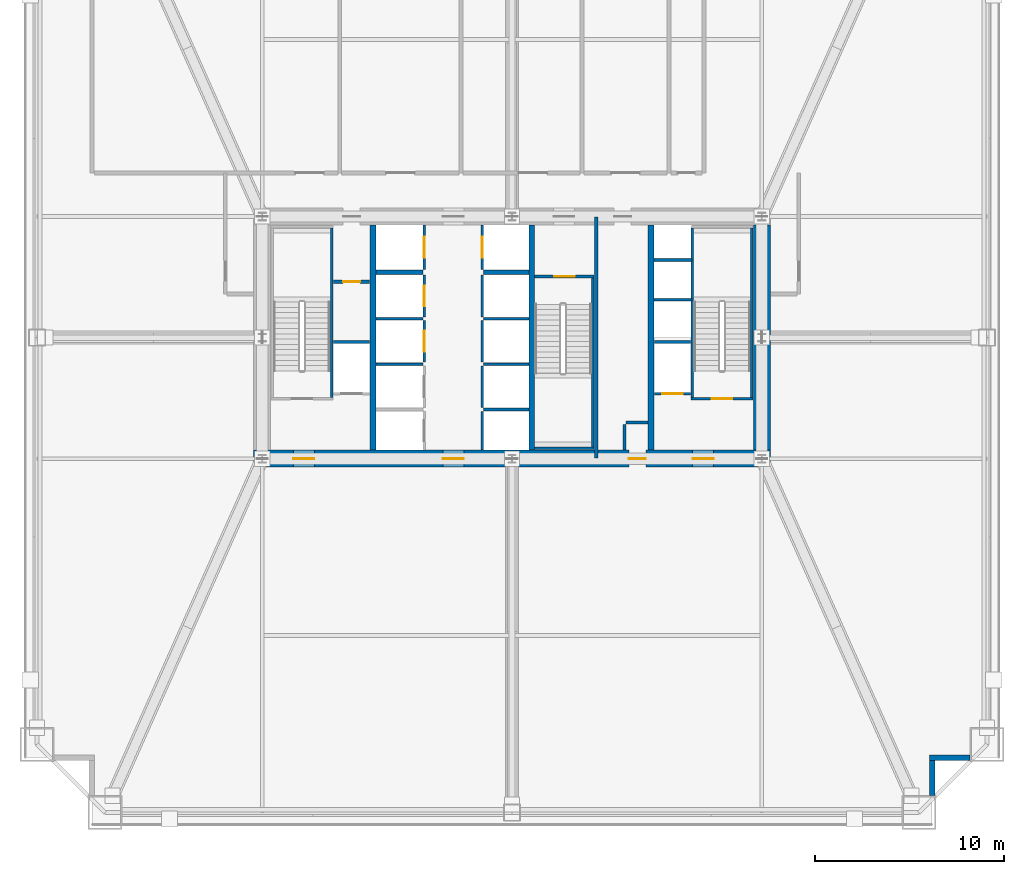
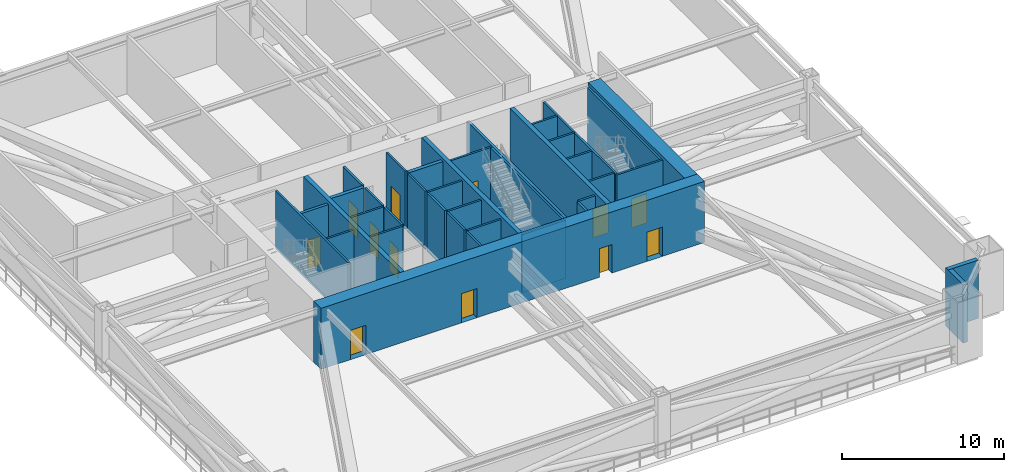
# One storey, part 5 of 11: 38 walls, 12 doors, 12 openings.
"""IFC4 building model written with IfcOpenShell, lengths in metres."""

from ifc_helpers import new_model, si_unit, direction, frame, frame_2d, origin, place, context, subcontext, project, spatial, rectangle, extrude, source, transform, mapped, material, layer, layer_set, type_object, element, fill, save


model = new_model("IFC4")

# Units and contexts
model_context = context("Model", 3, precision=1e-05, world=origin(), true_north=direction((0.0, 1.0)))
body_context = subcontext(model_context, "Body", "Model", "MODEL_VIEW")
ifc_project = project(units=[si_unit("LENGTHUNIT", "METRE"), si_unit("AREAUNIT", "SQUARE_METRE"), si_unit("VOLUMEUNIT", "CUBIC_METRE"), si_unit("PLANEANGLEUNIT", "RADIAN"), si_unit("MASSUNIT", "GRAM", prefix="KILO"), si_unit("THERMODYNAMICTEMPERATUREUNIT", "KELVIN"), si_unit("POWERUNIT", "WATT")], contexts=[model_context])

# Site, building, storey
site_placement = place(None, origin())
site = spatial("IfcSite", under=ifc_project, at=site_placement, CompositionType="ELEMENT")
building_placement = place(site_placement, origin())
building = spatial("IfcBuilding", under=site, at=building_placement, Name="Yuzanri Waterfront Tower", CompositionType="ELEMENT")
storey_placement = place(building_placement, frame((0.0, 0.0, 41.39990234375)))
storey = spatial("IfcBuildingStorey", under=building, at=storey_placement, Name="L10", CompositionType="ELEMENT", Elevation=41.39990234375)

# Wall, openings, doors
ifc_material_1 = material(Name="Concrete C60", Category="concrete")
ifc_layer_1 = layer(ifc_material_1, 0.89990234375)
ifc_layer_set_1 = layer_set([ifc_layer_1], Name="Concrete C60")
wall_type_1 = type_object("IfcWallType", Name="Concrete C60 Lower Zone Core Shear Wall 900", PredefinedType="SHEAR", material=ifc_layer_set_1)
wall_1_placement = place(storey_placement, frame((23.35009765625, 19.39990234375, 0.0), z_axis=(0.0, 0.0, 1.0), x_axis=(1.0, 0.0, 0.0)))
wall_1 = element("IfcWall", 1, at=wall_1_placement, inside=storey, type_object=wall_type_1, Name="L10 Core South Shear Wall", PredefinedType="SHEAR", context=body_context, shape_type="SweptSolid", body=[
    extrude(rectangle(XDim=27.2998046875, YDim=0.89990234375, at=frame_2d((13.64990234375, 0.0))), origin(), (0.0, 0.0, 1.0), 4.60009765625),
])
opening_1_placement = place(wall_1_placement, frame((2.10009765625, 0.0, 0.0)))
opening_1 = element("IfcOpeningElement", 2, at=opening_1_placement, cuts=wall_1, Name="Opening FD-1100", PredefinedType="OPENING", context=body_context, shape_type="SweptSolid", body=[
    extrude(rectangle(XDim=1.10009765625, YDim=2.199951171875, at=frame_2d((0.550048828125, 1.10009765625))), frame((0.0, 0.46484375, 0.0), z_axis=(0.0, -1.0, 0.0), x_axis=(1.0, 0.0, 0.0)), (0.0, 0.0, 1.0), 0.9296875),
])
opening_2_placement = place(wall_1_placement, frame((10.0, 0.0, 0.0)))
opening_2 = element("IfcOpeningElement", 3, at=opening_2_placement, cuts=wall_1, Name="Opening FD-1100", PredefinedType="OPENING", context=body_context, shape_type="SweptSolid", body=[
    extrude(rectangle(XDim=1.10009765625, YDim=2.199951171875, at=frame_2d((0.550048828125, 1.10009765625))), frame((0.0, 0.46484375, 0.0), z_axis=(0.0, -1.0, 0.0), x_axis=(1.0, 0.0, 0.0)), (0.0, 0.0, 1.0), 0.9296875),
])
opening_3_placement = place(wall_1_placement, frame((23.199951171875, 0.0, 0.0)))
opening_3 = element("IfcOpeningElement", 4, at=opening_3_placement, cuts=wall_1, Name="Opening FD-1100", PredefinedType="OPENING", context=body_context, shape_type="SweptSolid", body=[
    extrude(rectangle(XDim=1.10009765625, YDim=2.199951171875, at=frame_2d((0.550048828125, 1.10009765625))), frame((0.0, 0.46484375, 0.0), z_axis=(0.0, -1.0, 0.0), x_axis=(1.0, 0.0, 0.0)), (0.0, 0.0, 1.0), 0.9296875),
])
opening_4_placement = place(wall_1_placement, frame((19.820068359375, 0.0, 0.0)))
opening_4 = element("IfcOpeningElement", 5, at=opening_4_placement, cuts=wall_1, Name="Opening FD-0900", PredefinedType="OPENING", context=body_context, shape_type="SweptSolid", body=[
    extrude(rectangle(XDim=0.89990234375, YDim=2.14990234375, at=frame_2d((0.449951171875, 1.074951171875))), frame((0.0, 0.46484375, 0.0), z_axis=(0.0, -1.0, 0.0), x_axis=(1.0, 0.0, 0.0)), (0.0, 0.0, 1.0), 0.9296875),
])
ifc_material_2 = material(Name="Painted Galvanized Fire Steel", Category="steel")
door_type_1 = type_object("IfcDoorType", Name="Smoke-Proof Stair and Lobby Fire Door 1100x2200", OperationType="NOTDEFINED", PredefinedType="DOOR", material=ifc_material_2)
shared_shape_1 = source(origin(), body_context, "Body", "SweptSolid", [
    extrude(rectangle(XDim=1.10009765625, YDim=2.199951171875, at=frame_2d((0.550048828125, 1.10009765625))), frame((0.0, 0.02490234375, 0.0), z_axis=(0.0, -1.0, 0.0), x_axis=(1.0, 0.0, 0.0)), (0.0, 0.0, 1.0), 0.050048828125),
])
door_1_placement = place(opening_1_placement, origin())
door_1 = element("IfcDoor", 6, at=door_1_placement, inside=storey, type_object=door_type_1, Name="L10 West Firefighting Lobby Door", OperationType="SINGLE_SWING_LEFT", OverallHeight=2.199951171875, OverallWidth=1.10009765625, PredefinedType="DOOR", context=body_context, shape_type="MappedRepresentation", body=[
    mapped(shared_shape_1, transform((0.0, 0.0, 0.0), scale=1.0)),
])
fill(opening_1, door_1)
door_2_placement = place(opening_2_placement, origin())
door_2 = element("IfcDoor", 7, at=door_2_placement, inside=storey, type_object=door_type_1, Name="L10 Central Lift Lobby South Door", OperationType="SINGLE_SWING_RIGHT", OverallHeight=2.199951171875, OverallWidth=1.10009765625, PredefinedType="DOOR", context=body_context, shape_type="MappedRepresentation", body=[
    mapped(shared_shape_1, transform((0.0, 0.0, 0.0), scale=1.0)),
])
fill(opening_2, door_2)
door_3_placement = place(opening_3_placement, origin())
door_3 = element("IfcDoor", 8, at=door_3_placement, inside=storey, type_object=door_type_1, Name="L10 East Firefighting Lobby Door", OperationType="SINGLE_SWING_LEFT", OverallHeight=2.199951171875, OverallWidth=1.10009765625, PredefinedType="DOOR", context=body_context, shape_type="MappedRepresentation", body=[
    mapped(shared_shape_1, transform((0.0, 0.0, 0.0), scale=1.0)),
])
fill(opening_3, door_3)
ifc_material_3 = material(Name="Painted Galvanized Fire Steel", Category="steel")
door_type_2 = type_object("IfcDoorType", Name="Riser and Service Room Fire Door 900x2150", OperationType="NOTDEFINED", PredefinedType="DOOR", material=ifc_material_3)
shared_shape_2 = source(origin(), body_context, "Body", "SweptSolid", [
    extrude(rectangle(XDim=0.89990234375, YDim=2.14990234375, at=frame_2d((0.449951171875, 1.074951171875))), frame((0.0, 0.02490234375, 0.0), z_axis=(0.0, -1.0, 0.0), x_axis=(1.0, 0.0, 0.0)), (0.0, 0.0, 1.0), 0.050048828125),
])
door_4_placement = place(opening_4_placement, origin())
door_4 = element("IfcDoor", 9, at=door_4_placement, inside=storey, type_object=door_type_2, Name="L10 East Wet Riser Door", OperationType="SINGLE_SWING_RIGHT", OverallHeight=2.14990234375, OverallWidth=0.89990234375, PredefinedType="DOOR", context=body_context, shape_type="MappedRepresentation", body=[
    mapped(shared_shape_2, transform((0.0, 0.0, 0.0), scale=1.0)),
])
fill(opening_4, door_4)

# Wall, opening, door
ifc_material_4 = material(Name="Concrete C40", Category="concrete")
ifc_layer_2 = layer(ifc_material_4, 0.139892578125)
ifc_layer_set_2 = layer_set([ifc_layer_2], Name="Concrete C40")
wall_type_2 = type_object("IfcWallType", Name="Core Stair Liner and Hoistway Shaft Wall 140", PredefinedType="SOLIDWALL", material=ifc_layer_set_2)
wall_2_placement = place(storey_placement, frame((44.52001953125, 22.830078125, 0.0), z_axis=(0.0, 0.0, 1.0), x_axis=(1.0, 0.0, 0.0)))
wall_2 = element("IfcWall", 10, at=wall_2_placement, inside=storey, type_object=wall_type_2, Name="L10 Lift FL-02 Front Shaft Wall", PredefinedType="SOLIDWALL", context=body_context, shape_type="SweptSolid", body=[
    extrude(rectangle(XDim=1.919921875, YDim=0.139892578125, at=frame_2d((0.9599609375, 0.0))), origin(), (0.0, 0.0, 1.0), 4.380126953125),
])
opening_5_placement = place(wall_2_placement, frame((0.409912109375, 0.0, 0.0)))
opening_5 = element("IfcOpeningElement", 11, at=opening_5_placement, cuts=wall_2, Name="Opening LD-FL-02", PredefinedType="OPENING", context=body_context, shape_type="SweptSolid", body=[
    extrude(rectangle(XDim=1.10009765625, YDim=2.199951171875, at=frame_2d((0.550048828125, 1.10009765625))), frame((0.0, 0.0849609375, 0.0), z_axis=(0.0, -1.0, 0.0), x_axis=(1.0, 0.0, 0.0)), (0.0, 0.0, 1.0), 0.169677734375),
])
ifc_material_5 = material(Name="Brushed Bronze and Stainless Steel Cab", Category="steel")
door_type_3 = type_object("IfcDoorType", Name="Center-Parting Bronze Lift Landing Sliding Door 1100x2200", OperationType="NOTDEFINED", PredefinedType="DOOR", material=ifc_material_5)
shared_shape_3 = source(origin(), body_context, "Body", "SweptSolid", [
    extrude(rectangle(XDim=1.10009765625, YDim=2.199951171875, at=frame_2d((0.550048828125, 1.10009765625))), frame((0.0, 0.02490234375, 0.0), z_axis=(0.0, -1.0, 0.0), x_axis=(1.0, 0.0, 0.0)), (0.0, 0.0, 1.0), 0.050048828125),
])
door_5_placement = place(opening_5_placement, origin())
door_5 = element("IfcDoor", 12, at=door_5_placement, inside=storey, type_object=door_type_3, Name="L10 FL-02 Lift Landing Sliding Door", OperationType="SLIDING_TO_RIGHT", OverallHeight=2.199951171875, OverallWidth=1.10009765625, PredefinedType="DOOR", context=body_context, shape_type="MappedRepresentation", body=[
    mapped(shared_shape_3, transform((0.0, 0.0, 0.0), scale=1.0)),
])
fill(opening_5, door_5)

wall_3_placement = place(storey_placement, frame((32.3701171875, 24.5, 0.0), z_axis=(0.0, 0.0, 1.0), x_axis=(0.0, 1.0, 0.0)))
wall_3 = element("IfcWall", 13, at=wall_3_placement, inside=storey, type_object=wall_type_2, Name="L10 Lift PL-03 Front Shaft Wall", PredefinedType="SOLIDWALL", context=body_context, shape_type="SweptSolid", body=[
    extrude(rectangle(XDim=2.199951171875, YDim=0.139892578125, at=frame_2d((1.10009765625, 0.0))), origin(), (0.0, 0.0, 1.0), 4.380126953125),
])
opening_6_placement = place(wall_3_placement, frame((0.550048828125, 0.0, 0.0)))
opening_6 = element("IfcOpeningElement", 14, at=opening_6_placement, cuts=wall_3, Name="Opening LD-PL-03", PredefinedType="OPENING", context=body_context, shape_type="SweptSolid", body=[
    extrude(rectangle(XDim=1.10009765625, YDim=2.199951171875, at=frame_2d((0.550048828125, 1.10009765625))), frame((0.0, 0.0849609375, 0.0), z_axis=(0.0, -1.0, 0.0), x_axis=(1.0, 0.0, 0.0)), (0.0, 0.0, 1.0), 0.169677734375),
])
door_6_placement = place(opening_6_placement, origin())
door_6 = element("IfcDoor", 15, at=door_6_placement, inside=storey, type_object=door_type_3, Name="L10 PL-03 Lift Landing Sliding Door", OperationType="SLIDING_TO_LEFT", OverallHeight=2.199951171875, OverallWidth=1.10009765625, PredefinedType="DOOR", context=body_context, shape_type="MappedRepresentation", body=[
    mapped(shared_shape_3, transform((0.0, 0.0, 0.0), scale=1.0)),
])
fill(opening_6, door_6)

wall_4_placement = place(storey_placement, frame((32.3701171875, 26.89990234375, 0.0), z_axis=(0.0, 0.0, 1.0), x_axis=(0.0, 1.0, 0.0)))
wall_4 = element("IfcWall", 16, at=wall_4_placement, inside=storey, type_object=wall_type_2, Name="L10 Lift PL-04 Front Shaft Wall", PredefinedType="SOLIDWALL", context=body_context, shape_type="SweptSolid", body=[
    extrude(rectangle(XDim=2.2001953125, YDim=0.139892578125, at=frame_2d((1.10009765625, 0.0))), origin(), (0.0, 0.0, 1.0), 4.380126953125),
])
opening_7_placement = place(wall_4_placement, frame((0.550048828125, 0.0, 0.0)))
opening_7 = element("IfcOpeningElement", 17, at=opening_7_placement, cuts=wall_4, Name="Opening LD-PL-04", PredefinedType="OPENING", context=body_context, shape_type="SweptSolid", body=[
    extrude(rectangle(XDim=1.10009765625, YDim=2.199951171875, at=frame_2d((0.550048828125, 1.10009765625))), frame((0.0, 0.0849609375, 0.0), z_axis=(0.0, -1.0, 0.0), x_axis=(1.0, 0.0, 0.0)), (0.0, 0.0, 1.0), 0.169677734375),
])
door_7_placement = place(opening_7_placement, origin())
door_7 = element("IfcDoor", 18, at=door_7_placement, inside=storey, type_object=door_type_3, Name="L10 PL-04 Lift Landing Sliding Door", OperationType="SLIDING_TO_RIGHT", OverallHeight=2.199951171875, OverallWidth=1.10009765625, PredefinedType="DOOR", context=body_context, shape_type="MappedRepresentation", body=[
    mapped(shared_shape_3, transform((0.0, 0.0, 0.0), scale=1.0)),
])
fill(opening_7, door_7)

wall_5_placement = place(storey_placement, frame((32.3701171875, 29.39990234375, 0.0), z_axis=(0.0, 0.0, 1.0), x_axis=(0.0, 1.0, 0.0)))
wall_5 = element("IfcWall", 19, at=wall_5_placement, inside=storey, type_object=wall_type_2, Name="L10 Lift SL-01 Front Shaft Wall", PredefinedType="SOLIDWALL", context=body_context, shape_type="SweptSolid", body=[
    extrude(rectangle(XDim=2.340087890625, YDim=0.139892578125, at=frame_2d((1.169921875, 0.0))), origin(), (0.0, 0.0, 1.0), 4.380126953125),
])
opening_8_placement = place(wall_5_placement, frame((0.6201171875, 0.0, 0.0)))
opening_8 = element("IfcOpeningElement", 20, at=opening_8_placement, cuts=wall_5, Name="Opening LD-SL-01", PredefinedType="OPENING", context=body_context, shape_type="SweptSolid", body=[
    extrude(rectangle(XDim=1.10009765625, YDim=2.199951171875, at=frame_2d((0.550048828125, 1.10009765625))), frame((0.0, 0.0849609375, 0.0), z_axis=(0.0, -1.0, 0.0), x_axis=(1.0, 0.0, 0.0)), (0.0, 0.0, 1.0), 0.169677734375),
])
door_8_placement = place(opening_8_placement, origin())
door_8 = element("IfcDoor", 21, at=door_8_placement, inside=storey, type_object=door_type_3, Name="L10 SL-01 Lift Landing Sliding Door", OperationType="SLIDING_TO_LEFT", OverallHeight=2.199951171875, OverallWidth=1.10009765625, PredefinedType="DOOR", context=body_context, shape_type="MappedRepresentation", body=[
    mapped(shared_shape_3, transform((0.0, 0.0, 0.0), scale=1.0)),
])
fill(opening_8, door_8)

wall_6_placement = place(storey_placement, frame((35.429931640625, 29.39990234375, 0.0), z_axis=(0.0, 0.0, 1.0), x_axis=(0.0, 1.0, 0.0)))
wall_6 = element("IfcWall", 22, at=wall_6_placement, inside=storey, type_object=wall_type_2, Name="L10 Lift SL-02 Front Shaft Wall", PredefinedType="SOLIDWALL", context=body_context, shape_type="SweptSolid", body=[
    extrude(rectangle(XDim=2.340087890625, YDim=0.139892578125, at=frame_2d((1.169921875, 0.0))), origin(), (0.0, 0.0, 1.0), 4.380126953125),
])
opening_9_placement = place(wall_6_placement, frame((0.6201171875, 0.0, 0.0)))
opening_9 = element("IfcOpeningElement", 23, at=opening_9_placement, cuts=wall_6, Name="Opening LD-SL-02", PredefinedType="OPENING", context=body_context, shape_type="SweptSolid", body=[
    extrude(rectangle(XDim=1.10009765625, YDim=2.199951171875, at=frame_2d((0.550048828125, 1.10009765625))), frame((0.0, 0.0849609375, 0.0), z_axis=(0.0, -1.0, 0.0), x_axis=(1.0, 0.0, 0.0)), (0.0, 0.0, 1.0), 0.169677734375),
])
door_9_placement = place(opening_9_placement, origin())
door_9 = element("IfcDoor", 24, at=door_9_placement, inside=storey, type_object=door_type_3, Name="L10 SL-02 Lift Landing Sliding Door", OperationType="SLIDING_TO_RIGHT", OverallHeight=2.199951171875, OverallWidth=1.10009765625, PredefinedType="DOOR", context=body_context, shape_type="MappedRepresentation", body=[
    mapped(shared_shape_3, transform((0.0, 0.0, 0.0), scale=1.0)),
])
fill(opening_9, door_9)

wall_7_placement = place(storey_placement, frame((46.4599609375, 22.570068359375, 0.0), z_axis=(0.0, 0.0, 1.0), x_axis=(1.0, 0.0, 0.0)))
wall_7 = element("IfcWall", 25, at=wall_7_placement, inside=storey, type_object=wall_type_2, Name="L10 Shaft Wall STW-L10-ST-02-S", PredefinedType="SOLIDWALL", context=body_context, shape_type="SweptSolid", body=[
    extrude(rectangle(XDim=3.280029296875, YDim=0.139892578125, at=frame_2d((1.64013671875, 0.0))), origin(), (0.0, 0.0, 1.0), 4.380126953125),
])
opening_10_placement = place(wall_7_placement, frame((1.090087890625, 0.0, 0.0)))
opening_10 = element("IfcOpeningElement", 26, at=opening_10_placement, cuts=wall_7, Name="Opening FD-1100", PredefinedType="OPENING", context=body_context, shape_type="SweptSolid", body=[
    extrude(rectangle(XDim=1.10009765625, YDim=2.199951171875, at=frame_2d((0.550048828125, 1.10009765625))), frame((0.0, 0.0849609375, 0.0), z_axis=(0.0, -1.0, 0.0), x_axis=(1.0, 0.0, 0.0)), (0.0, 0.0, 1.0), 0.169677734375),
])
door_10_placement = place(opening_10_placement, origin())
door_10 = element("IfcDoor", 27, at=door_10_placement, inside=storey, type_object=door_type_1, Name="L10 Stair ST-02 Fire Door", OperationType="SINGLE_SWING_LEFT", OverallHeight=2.199951171875, OverallWidth=1.10009765625, PredefinedType="DOOR", context=body_context, shape_type="MappedRepresentation", body=[
    mapped(shared_shape_1, transform((0.0, 0.0, 0.0), scale=1.0)),
])
fill(opening_10, door_10)

wall_8_placement = place(storey_placement, frame((38.199951171875, 29.030029296875, 0.0), z_axis=(0.0, 0.0, 1.0), x_axis=(1.0, 0.0, 0.0)))
wall_8 = element("IfcWall", 28, at=wall_8_placement, inside=storey, type_object=wall_type_2, Name="L10 Shaft Wall STW-L10-ST-03-N", PredefinedType="SOLIDWALL", context=body_context, shape_type="SweptSolid", body=[
    extrude(rectangle(XDim=3.14013671875, YDim=0.139892578125, at=frame_2d((1.570068359375, 0.0))), origin(), (0.0, 0.0, 1.0), 4.380126953125),
])
opening_11_placement = place(wall_8_placement, frame((1.02001953125, 0.0, 0.0)))
opening_11 = element("IfcOpeningElement", 29, at=opening_11_placement, cuts=wall_8, Name="Opening FD-1100", PredefinedType="OPENING", context=body_context, shape_type="SweptSolid", body=[
    extrude(rectangle(XDim=1.10009765625, YDim=2.199951171875, at=frame_2d((0.550048828125, 1.10009765625))), frame((0.0, 0.0849609375, 0.0), z_axis=(0.0, -1.0, 0.0), x_axis=(1.0, 0.0, 0.0)), (0.0, 0.0, 1.0), 0.169677734375),
])
door_11_placement = place(opening_11_placement, origin())
door_11 = element("IfcDoor", 30, at=door_11_placement, inside=storey, type_object=door_type_1, Name="L10 Stair ST-03 Fire Door", OperationType="SINGLE_SWING_RIGHT", OverallHeight=2.199951171875, OverallWidth=1.10009765625, PredefinedType="DOOR", context=body_context, shape_type="MappedRepresentation", body=[
    mapped(shared_shape_1, transform((0.0, 0.0, 0.0), scale=1.0)),
])
fill(opening_11, door_11)

ifc_material_6 = material(Name="Autoclaved Aerated Concrete Blockwork", Category="masonry")
ifc_layer_3 = layer(ifc_material_6, 0.199951171875)
ifc_layer_set_3 = layer_set([ifc_layer_3], Name="Autoclaved Aerated Concrete Blockwork")
wall_type_3 = type_object("IfcWallType", Name="Corridor and Unit Party Fire Wall 200", PredefinedType="PARTITIONING", material=ifc_layer_set_3)
wall_9_placement = place(storey_placement, frame((27.56005859375, 28.75, 0.0), z_axis=(0.0, 0.0, 1.0), x_axis=(1.0, 0.0, 0.0)))
wall_9 = element("IfcWall", 31, at=wall_9_placement, inside=storey, type_object=wall_type_3, Name="L10 Partition CRW-L10-ERTR", PredefinedType="PARTITIONING", context=body_context, shape_type="SweptSolid", body=[
    extrude(rectangle(XDim=1.919921875, YDim=0.199951171875, at=frame_2d((0.9599609375, 0.0))), origin(), (0.0, 0.0, 1.0), 4.380126953125),
])
opening_12_placement = place(wall_9_placement, frame((0.510009765625, 0.0, 0.0)))
opening_12 = element("IfcOpeningElement", 32, at=opening_12_placement, cuts=wall_9, Name="Opening FD-0900", PredefinedType="OPENING", context=body_context, shape_type="SweptSolid", body=[
    extrude(rectangle(XDim=0.89990234375, YDim=2.14990234375, at=frame_2d((0.449951171875, 1.074951171875))), frame((0.0, 0.11474609375, 0.0), z_axis=(0.0, -1.0, 0.0), x_axis=(1.0, 0.0, 0.0)), (0.0, 0.0, 1.0), 0.229736328125),
])
door_12_placement = place(opening_12_placement, origin())
door_12 = element("IfcDoor", 33, at=door_12_placement, inside=storey, type_object=door_type_2, Name="L10 Electrical Riser Door", OperationType="SINGLE_SWING_LEFT", OverallHeight=2.14990234375, OverallWidth=0.89990234375, PredefinedType="DOOR", context=body_context, shape_type="MappedRepresentation", body=[
    mapped(shared_shape_2, transform((0.0, 0.0, 0.0), scale=1.0)),
])
fill(opening_12, door_12)

# Walls
shared_shape_4 = source(origin(), body_context, "Body", "SweptSolid", [
    extrude(rectangle(XDim=11.89990234375, YDim=0.89990234375, at=frame_2d((5.949951171875, 0.0))), origin(), (0.0, 0.0, 1.0), 4.60009765625),
])
wall_10_placement = place(storey_placement, frame((50.199951171875, 19.85009765625, 0.0), z_axis=(0.0, 0.0, 1.0), x_axis=(0.0, 1.0, 0.0)))
element("IfcWall", 34, at=wall_10_placement, inside=storey, type_object=wall_type_1, Name="L10 Core East Shear Wall", PredefinedType="SHEAR", context=body_context, shape_type="MappedRepresentation", body=[
    mapped(shared_shape_4, transform((0.0, 0.0, 0.0), scale=1.0)),
])
ifc_material_7 = material(Name="Concrete C50", Category="concrete")
ifc_layer_4 = layer(ifc_material_7, 0.300048828125)
ifc_layer_set_4 = layer_set([ifc_layer_4], Name="Concrete C50")
wall_type_4 = type_object("IfcWallType", Name="Concrete C50 Internal Core Shaft Structural Wall 300", PredefinedType="SOLIDWALL", material=ifc_layer_set_4)
shared_shape_5 = source(origin(), body_context, "Body", "SweptSolid", [
    extrude(rectangle(XDim=11.89990234375, YDim=0.300048828125, at=frame_2d((5.949951171875, 0.0))), origin(), (0.0, 0.0, 1.0), 4.60009765625),
])
for number, where, z_axis, x_axis, name in (
    (35, (29.64990234375, 19.85009765625, 0.0), (0.0, 0.0, 1.0), (0.0, 1.0, 0.0), "L10 Core Internal Structural Web Wall 1"),
    (36, (38.050048828125, 19.85009765625, 0.0), (0.0, 0.0, 1.0), (0.0, 1.0, 0.0), "L10 Core Internal Structural Web Wall 2"),
    (37, (44.35009765625, 19.85009765625, 0.0), (0.0, 0.0, 1.0), (0.0, 1.0, 0.0), "L10 Core Internal Structural Web Wall 3"),
):
    element("IfcWall", number, at=place(storey_placement, frame(where, z_axis=z_axis, x_axis=x_axis)), inside=storey, type_object=wall_type_4, Name=name, PredefinedType="SOLIDWALL", context=body_context, shape_type="MappedRepresentation", body=[
        mapped(shared_shape_5, transform((0.0, 0.0, 0.0), scale=1.0)),
    ])
ifc_material_8 = material(Name="Honed Chongqing Dark Basalt Stone", Category="masonry")
ifc_layer_5 = layer(ifc_material_8, 0.300048828125)
ifc_layer_set_5 = layer_set([ifc_layer_5], Name="Honed Chongqing Dark Basalt Stone")
wall_type_5 = type_object("IfcWallType", Name="Bronze Rainscreen Insulated Spandrel Portal Wall 300", PredefinedType="SOLIDWALL", material=ifc_layer_set_5)
shared_shape_6 = source(origin(), body_context, "Body", "SweptSolid", [
    extrude(rectangle(XDim=2.14990234375, YDim=0.300048828125, at=frame_2d((1.074951171875, 0.0))), origin(), (0.0, 0.0, 1.0), 4.380126953125),
])
for number, where, z_axis, x_axis, name in (
    (38, (59.050048828125, 3.60009765625, 0.0), (0.0, 0.0, 1.0), (1.0, 0.0, 0.0), "L10 Notched Corner Masonry Wall SE-X"),
    (39, (59.199951171875, 1.60009765625, 0.0), (0.0, 0.0, 1.0), (0.0, 1.0, 0.0), "L10 Notched Corner Masonry Wall SE-Y"),
):
    element("IfcWall", number, at=place(storey_placement, frame(where, z_axis=z_axis, x_axis=x_axis)), inside=storey, type_object=wall_type_5, Name=name, PredefinedType="SOLIDWALL", context=body_context, shape_type="MappedRepresentation", body=[
        mapped(shared_shape_6, transform((0.0, 0.0, 0.0), scale=1.0)),
    ])
shared_shape_7 = source(origin(), body_context, "Body", "SweptSolid", [
    extrude(rectangle(XDim=1.919921875, YDim=0.139892578125, at=frame_2d((0.9599609375, 0.0))), origin(), (0.0, 0.0, 1.0), 4.380126953125),
])
for number, where, z_axis, x_axis, name in (
    (40, (27.56005859375, 25.570068359375, 0.0), (0.0, 0.0, 1.0), (1.0, 0.0, 0.0), "L10 Lift FL-01 Back Shaft Wall"),
    (41, (44.52001953125, 25.570068359375, 0.0), (0.0, 0.0, 1.0), (1.0, 0.0, 0.0), "L10 Lift FL-02 Back Shaft Wall"),
):
    element("IfcWall", number, at=place(storey_placement, frame(where, z_axis=z_axis, x_axis=x_axis)), inside=storey, type_object=wall_type_2, Name=name, PredefinedType="SOLIDWALL", context=body_context, shape_type="MappedRepresentation", body=[
        mapped(shared_shape_7, transform((0.0, 0.0, 0.0), scale=1.0)),
    ])
shared_shape_8 = source(origin(), body_context, "Body", "SweptSolid", [
    extrude(rectangle(XDim=2.5, YDim=0.139892578125, at=frame_2d((1.25, 0.0))), origin(), (0.0, 0.0, 1.0), 4.380126953125),
])
for number, where, z_axis, x_axis, name in (
    (42, (29.800048828125, 24.39990234375, 0.0), (0.0, 0.0, 1.0), (1.0, 0.0, 0.0), "L10 Lift PL-02 Divider Wall"),
    (43, (29.800048828125, 26.800048828125, 0.0), (0.0, 0.0, 1.0), (1.0, 0.0, 0.0), "L10 Lift PL-03 Divider Wall"),
):
    element("IfcWall", number, at=place(storey_placement, frame(where, z_axis=z_axis, x_axis=x_axis)), inside=storey, type_object=wall_type_2, Name=name, PredefinedType="SOLIDWALL", context=body_context, shape_type="MappedRepresentation", body=[
        mapped(shared_shape_8, transform((0.0, 0.0, 0.0), scale=1.0)),
    ])
ifc_material_9 = material(Name="Concrete C40", Category="concrete")
ifc_layer_6 = layer(ifc_material_9, 0.25)
ifc_layer_set_6 = layer_set([ifc_layer_6], Name="Concrete C40")
wall_type_6 = type_object("IfcWallType", Name="Smoke-Proof Stair and Lift Shaft Wall 250", PredefinedType="SOLIDWALL", material=ifc_layer_set_6)
shared_shape_9 = source(origin(), body_context, "Body", "SweptSolid", [
    extrude(rectangle(XDim=2.5, YDim=0.25, at=frame_2d((1.25, 0.0))), origin(), (0.0, 0.0, 1.0), 4.380126953125),
])
wall_11_placement = place(storey_placement, frame((29.800048828125, 29.25, 0.0), z_axis=(0.0, 0.0, 1.0), x_axis=(1.0, 0.0, 0.0)))
element("IfcWall", 44, at=wall_11_placement, inside=storey, type_object=wall_type_6, Name="L10 Lift SL-01 South Shaft Wall", PredefinedType="SOLIDWALL", context=body_context, shape_type="MappedRepresentation", body=[
    mapped(shared_shape_9, transform((0.0, 0.0, 0.0), scale=1.0)),
])
shared_shape_10 = source(origin(), body_context, "Body", "SweptSolid", [
    extrude(rectangle(XDim=2.039794921875, YDim=0.139892578125, at=frame_2d((1.02001953125, 0.0))), origin(), (0.0, 0.0, 1.0), 4.380126953125),
])
wall_12_placement = place(storey_placement, frame((35.429931640625, 19.860107421875, 0.0), z_axis=(0.0, 0.0, 1.0), x_axis=(0.0, 1.0, 0.0)))
element("IfcWall", 45, at=wall_12_placement, inside=storey, type_object=wall_type_2, Name="L10 Lift PL-05 Front Shaft Wall", PredefinedType="SOLIDWALL", context=body_context, shape_type="MappedRepresentation", body=[
    mapped(shared_shape_10, transform((0.0, 0.0, 0.0), scale=1.0)),
])
shared_shape_11 = source(origin(), body_context, "Body", "SweptSolid", [
    extrude(rectangle(XDim=2.39990234375, YDim=0.139892578125, at=frame_2d((1.199951171875, 0.0))), origin(), (0.0, 0.0, 1.0), 4.380126953125),
])
for number, where, z_axis, x_axis, name in (
    (46, (35.5, 22.0, 0.0), (0.0, 0.0, 1.0), (1.0, 0.0, 0.0), "L10 Lift PL-05 Divider Wall"),
    (47, (35.5, 24.39990234375, 0.0), (0.0, 0.0, 1.0), (1.0, 0.0, 0.0), "L10 Lift PL-06 Divider Wall"),
    (48, (35.5, 26.800048828125, 0.0), (0.0, 0.0, 1.0), (1.0, 0.0, 0.0), "L10 Lift PL-07 Divider Wall"),
):
    element("IfcWall", number, at=place(storey_placement, frame(where, z_axis=z_axis, x_axis=x_axis)), inside=storey, type_object=wall_type_2, Name=name, PredefinedType="SOLIDWALL", context=body_context, shape_type="MappedRepresentation", body=[
        mapped(shared_shape_11, transform((0.0, 0.0, 0.0), scale=1.0)),
    ])
shared_shape_12 = source(origin(), body_context, "Body", "SweptSolid", [
    extrude(rectangle(XDim=2.199951171875, YDim=0.139892578125, at=frame_2d((1.10009765625, 0.0))), origin(), (0.0, 0.0, 1.0), 4.380126953125),
])
for number, where, z_axis, x_axis, name in (
    (49, (35.429931640625, 22.10009765625, 0.0), (0.0, 0.0, 1.0), (0.0, 1.0, 0.0), "L10 Lift PL-06 Front Shaft Wall"),
    (50, (35.429931640625, 24.5, 0.0), (0.0, 0.0, 1.0), (0.0, 1.0, 0.0), "L10 Lift PL-07 Front Shaft Wall"),
):
    element("IfcWall", number, at=place(storey_placement, frame(where, z_axis=z_axis, x_axis=x_axis)), inside=storey, type_object=wall_type_2, Name=name, PredefinedType="SOLIDWALL", context=body_context, shape_type="MappedRepresentation", body=[
        mapped(shared_shape_12, transform((0.0, 0.0, 0.0), scale=1.0)),
    ])
shared_shape_13 = source(origin(), body_context, "Body", "SweptSolid", [
    extrude(rectangle(XDim=2.2001953125, YDim=0.139892578125, at=frame_2d((1.10009765625, 0.0))), origin(), (0.0, 0.0, 1.0), 4.380126953125),
])
wall_13_placement = place(storey_placement, frame((35.429931640625, 26.89990234375, 0.0), z_axis=(0.0, 0.0, 1.0), x_axis=(0.0, 1.0, 0.0)))
element("IfcWall", 51, at=wall_13_placement, inside=storey, type_object=wall_type_2, Name="L10 Lift PL-08 Front Shaft Wall", PredefinedType="SOLIDWALL", context=body_context, shape_type="MappedRepresentation", body=[
    mapped(shared_shape_13, transform((0.0, 0.0, 0.0), scale=1.0)),
])
shared_shape_14 = source(origin(), body_context, "Body", "SweptSolid", [
    extrude(rectangle(XDim=2.39990234375, YDim=0.25, at=frame_2d((1.199951171875, 0.0))), origin(), (0.0, 0.0, 1.0), 4.380126953125),
])
wall_14_placement = place(storey_placement, frame((35.5, 29.25, 0.0), z_axis=(0.0, 0.0, 1.0), x_axis=(1.0, 0.0, 0.0)))
element("IfcWall", 52, at=wall_14_placement, inside=storey, type_object=wall_type_6, Name="L10 Lift SL-02 South Shaft Wall", PredefinedType="SOLIDWALL", context=body_context, shape_type="MappedRepresentation", body=[
    mapped(shared_shape_14, transform((0.0, 0.0, 0.0), scale=1.0)),
])
shared_shape_15 = source(origin(), body_context, "Body", "SweptSolid", [
    extrude(rectangle(XDim=2.0, YDim=0.139892578125, at=frame_2d((1.0, 0.0))), origin(), (0.0, 0.0, 1.0), 4.380126953125),
])
for number, where, z_axis, x_axis, name in (
    (53, (44.5, 27.800048828125, 0.0), (0.0, 0.0, 1.0), (1.0, 0.0, 0.0), "L10 Lift PL-09 Divider Wall"),
    (54, (44.5, 29.89990234375, 0.0), (0.0, 0.0, 1.0), (1.0, 0.0, 0.0), "L10 Lift PL-10 Divider Wall"),
):
    element("IfcWall", number, at=place(storey_placement, frame(where, z_axis=z_axis, x_axis=x_axis)), inside=storey, type_object=wall_type_2, Name=name, PredefinedType="SOLIDWALL", context=body_context, shape_type="MappedRepresentation", body=[
        mapped(shared_shape_15, transform((0.0, 0.0, 0.0), scale=1.0)),
    ])
shared_shape_16 = source(origin(), body_context, "Body", "SweptSolid", [
    extrude(rectangle(XDim=8.940185546875, YDim=0.139892578125, at=frame_2d((4.47021484375, 0.0))), origin(), (0.0, 0.0, 1.0), 4.380126953125),
])
for number, where, z_axis, x_axis, name in (
    (55, (27.469970703125, 22.639892578125, 0.0), (0.0, 0.0, 1.0), (0.0, 1.0, 0.0), "L10 Stair ST-01 East Shaft Wall"),
    (56, (46.530029296875, 22.639892578125, 0.0), (0.0, 0.0, 1.0), (0.0, 1.0, 0.0), "L10 Stair ST-02 West Shaft Wall"),
    (57, (49.669921875, 22.639892578125, 0.0), (0.0, 0.0, 1.0), (0.0, 1.0, 0.0), "L10 Stair ST-02 East Shaft Wall"),
):
    element("IfcWall", number, at=place(storey_placement, frame(where, z_axis=z_axis, x_axis=x_axis)), inside=storey, type_object=wall_type_2, Name=name, PredefinedType="SOLIDWALL", context=body_context, shape_type="MappedRepresentation", body=[
        mapped(shared_shape_16, transform((0.0, 0.0, 0.0), scale=1.0)),
    ])
shared_shape_17 = source(origin(), body_context, "Body", "SweptSolid", [
    extrude(rectangle(XDim=3.14013671875, YDim=0.139892578125, at=frame_2d((1.570068359375, 0.0))), origin(), (0.0, 0.0, 1.0), 4.380126953125),
])
wall_15_placement = place(storey_placement, frame((38.199951171875, 19.949951171875, 0.0), z_axis=(0.0, 0.0, 1.0), x_axis=(1.0, 0.0, 0.0)))
element("IfcWall", 58, at=wall_15_placement, inside=storey, type_object=wall_type_2, Name="L10 Stair ST-03 South Shaft Wall", PredefinedType="SOLIDWALL", context=body_context, shape_type="MappedRepresentation", body=[
    mapped(shared_shape_17, transform((0.0, 0.0, 0.0), scale=1.0)),
])
shared_shape_18 = source(origin(), body_context, "Body", "SweptSolid", [
    extrude(rectangle(XDim=8.93994140625, YDim=0.139892578125, at=frame_2d((4.469970703125, 0.0))), origin(), (0.0, 0.0, 1.0), 4.380126953125),
])
wall_16_placement = place(storey_placement, frame((41.27001953125, 20.02001953125, 0.0), z_axis=(0.0, 0.0, 1.0), x_axis=(0.0, 1.0, 0.0)))
element("IfcWall", 59, at=wall_16_placement, inside=storey, type_object=wall_type_2, Name="L10 Stair ST-03 East Shaft Wall", PredefinedType="SOLIDWALL", context=body_context, shape_type="MappedRepresentation", body=[
    mapped(shared_shape_18, transform((0.0, 0.0, 0.0), scale=1.0)),
])
ifc_material_10 = material(Name="Gypsum Fireboard Acoustic Stud Wall", Category="gypsum")
ifc_layer_7 = layer(ifc_material_10, 0.159912109375)
ifc_layer_set_7 = layer_set([ifc_layer_7], Name="Gypsum Fireboard Acoustic Stud Wall")
wall_type_7 = type_object("IfcWallType", Name="Acoustic Suite Demising Partition 160", PredefinedType="PARTITIONING", material=ifc_layer_set_7)
shared_shape_19 = source(origin(), body_context, "Body", "SweptSolid", [
    extrude(rectangle(XDim=1.33984375, YDim=0.159912109375, at=frame_2d((0.669921875, 0.0))), origin(), (0.0, 0.0, 1.0), 4.380126953125),
])
wall_17_placement = place(storey_placement, frame((42.949951171875, 19.860107421875, 0.0), z_axis=(0.0, 0.0, 1.0), x_axis=(0.0, 1.0, 0.0)))
element("IfcWall", 60, at=wall_17_placement, inside=storey, type_object=wall_type_7, Name="L10 East Wet Riser West Wall", PredefinedType="PARTITIONING", context=body_context, shape_type="MappedRepresentation", body=[
    mapped(shared_shape_19, transform((0.0, 0.0, 0.0), scale=1.0)),
])
shared_shape_20 = source(origin(), body_context, "Body", "SweptSolid", [
    extrude(rectangle(XDim=1.169921875, YDim=0.159912109375, at=frame_2d((0.5849609375, 0.0))), origin(), (0.0, 0.0, 1.0), 4.380126953125),
])
wall_18_placement = place(storey_placement, frame((43.030029296875, 21.320068359375, 0.0), z_axis=(0.0, 0.0, 1.0), x_axis=(1.0, 0.0, 0.0)))
element("IfcWall", 61, at=wall_18_placement, inside=storey, type_object=wall_type_7, Name="L10 East Wet Riser North Wall", PredefinedType="PARTITIONING", context=body_context, shape_type="MappedRepresentation", body=[
    mapped(shared_shape_20, transform((0.0, 0.0, 0.0), scale=1.0)),
])
shared_shape_21 = source(origin(), body_context, "Body", "SweptSolid", [
    extrude(rectangle(XDim=12.719970703125, YDim=0.199951171875, at=frame_2d((6.35986328125, 0.0))), origin(), (0.0, 0.0, 1.0), 4.380126953125),
])
wall_19_placement = place(storey_placement, frame((41.449951171875, 19.43994140625, 0.0), z_axis=(0.0, 0.0, 1.0), x_axis=(0.0, 1.0, 0.0)))
element("IfcWall", 62, at=wall_19_placement, inside=storey, type_object=wall_type_3, Name="L10 Core BOH West Wall 1", PredefinedType="PARTITIONING", context=body_context, shape_type="MappedRepresentation", body=[
    mapped(shared_shape_21, transform((0.0, 0.0, 0.0), scale=1.0)),
])

save(model, "model.ifc")
